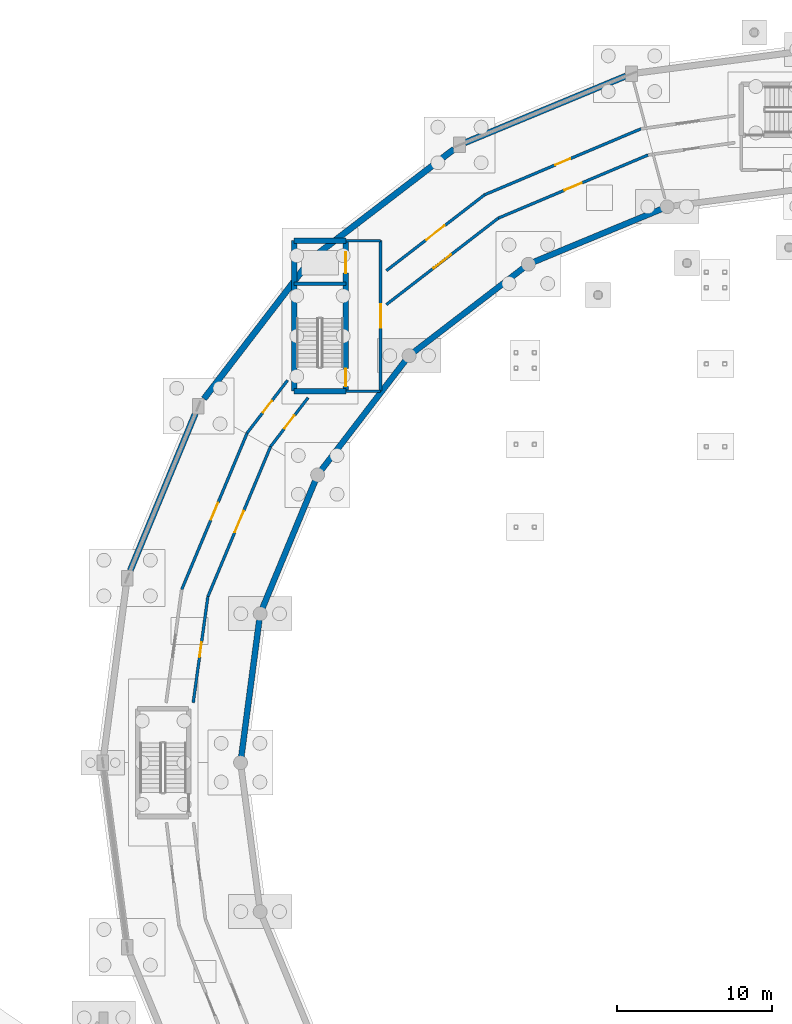
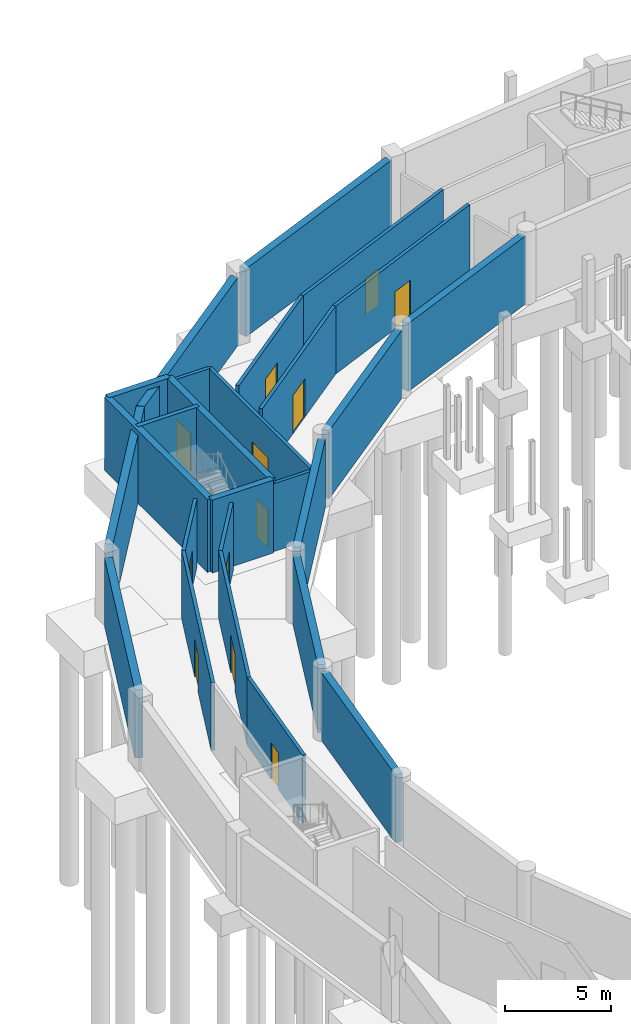
# One storey, part 33 of 43: 26 walls, 12 doors, 12 openings.
"""IFC4 building model written with IfcOpenShell, lengths in metres."""

from ifc_helpers import new_model, si_unit, direction, frame, frame_2d, origin, place, context, subcontext, project, spatial, rectangle, extrude, material, layer, layer_set, type_object, element, fill, save


model = new_model("IFC4")

# Units and contexts
model_context = context("Model", 3, precision=1e-05, world=origin(), true_north=direction((0.0, 1.0)))
body_context = subcontext(model_context, "Body", "Model", "MODEL_VIEW")
ifc_project = project(units=[si_unit("LENGTHUNIT", "METRE"), si_unit("AREAUNIT", "SQUARE_METRE"), si_unit("VOLUMEUNIT", "CUBIC_METRE"), si_unit("PLANEANGLEUNIT", "RADIAN"), si_unit("MASSUNIT", "GRAM", prefix="KILO")], contexts=[model_context])

# Site, building, storey
site_placement = place(None, origin())
site = spatial("IfcSite", under=ifc_project, at=site_placement, CompositionType="ELEMENT")
building_placement = place(site_placement, origin())
building = spatial("IfcBuilding", under=site, at=building_placement, Name="Vespera Passage Community Centre", CompositionType="ELEMENT")
storey_placement = place(building_placement, frame((0.0, 0.0, -4.199951171875)))
storey = spatial("IfcBuildingStorey", under=building, at=storey_placement, Name="B1", CompositionType="ELEMENT", Elevation=-4.199951171875)

# Wall, openings, doors
ifc_material_1 = material(Name="Concrete f'c 45 MPa", Category="concrete")
ifc_layer_1 = layer(ifc_material_1, 0.340087890625)
ifc_layer_set_1 = layer_set([ifc_layer_1], Name="Concrete f'c 45 MPa")
wall_type_1 = type_object("IfcWallType", Name="WT-CORE-340I", PredefinedType="SHEAR", material=ifc_layer_set_1)
wall_1_placement = place(storey_placement, frame((47.60302734375, 99.238037109375, 0.0), z_axis=(0.0, 0.0, 1.0), x_axis=(0.0, -1.0, 0.0)))
wall_1 = element("IfcWall", 1, at=wall_1_placement, inside=storey, type_object=wall_type_1, Name="Core C1 B1 Shear Wall FRONT", PredefinedType="SHEAR", context=body_context, shape_type="SweptSolid", body=[
    extrude(rectangle(XDim=9.72998046875, YDim=0.340087890625, at=frame_2d((4.864990234375, 0.0))), origin(), (0.0, 0.0, 1.0), 4.199951171875),
])
opening_1_placement = place(wall_1_placement, frame((8.264892578125, 0.0, 0.0)))
opening_1 = element("IfcOpeningElement", 2, at=opening_1_placement, cuts=wall_1, Name="Opening DT-STAIR-90", PredefinedType="OPENING", context=body_context, shape_type="SweptSolid", body=[
    extrude(rectangle(XDim=1.14990234375, YDim=2.14990234375, at=frame_2d((0.574951171875, 1.074951171875))), frame((0.0, 0.179931640625, 0.0), z_axis=(0.0, -1.0, 0.0), x_axis=(1.0, 0.0, 0.0)), (0.0, 0.0, 1.0), 0.360107421875),
])
opening_2_placement = place(wall_1_placement, frame((0.7451171875, 0.0, 0.0)))
opening_2 = element("IfcOpeningElement", 3, at=opening_2_placement, cuts=wall_1, Name="Opening DT-LIFT-135", PredefinedType="OPENING", context=body_context, shape_type="SweptSolid", body=[
    extrude(rectangle(XDim=1.35009765625, YDim=2.14990234375, at=frame_2d((0.675048828125, 1.074951171875))), frame((0.0, 0.179931640625, 0.0), z_axis=(0.0, -1.0, 0.0), x_axis=(1.0, 0.0, 0.0)), (0.0, 0.0, 1.0), 0.360107421875),
])
ifc_material_2 = material(Name="Painted hollow-metal acoustic door", Category="steel")
door_type_1 = type_object("IfcDoorType", Name="DT-LIFT-135", OperationType="NOTDEFINED", PredefinedType="DOOR", material=ifc_material_2)
door_1_placement = place(opening_2_placement, origin())
door_1 = element("IfcDoor", 4, at=door_1_placement, inside=storey, type_object=door_type_1, Name="Elevator EL-03 B1 Landing Door LD-001", OperationType="SLIDING_TO_LEFT", OverallHeight=2.14990234375, OverallWidth=1.35009765625, PredefinedType="DOOR", context=body_context, shape_type="SweptSolid", body=[
    extrude(rectangle(XDim=1.35009765625, YDim=2.14990234375, at=frame_2d((0.675048828125, 1.074951171875))), frame((0.0, 0.02490234375, 0.0), z_axis=(0.0, -1.0, 0.0), x_axis=(1.0, 0.0, 0.0)), (0.0, 0.0, 1.0), 0.050048828125),
])
fill(opening_2, door_1)
ifc_material_3 = material(Name="Painted hollow-metal acoustic door", Category="steel")
door_type_2 = type_object("IfcDoorType", Name="DT-STAIR-90", OperationType="NOTDEFINED", PredefinedType="DOOR", material=ifc_material_3)
door_2_placement = place(opening_1_placement, origin())
door_2 = element("IfcDoor", 5, at=door_2_placement, inside=storey, type_object=door_type_2, Name="Core C1 B1 Exit Stair Door D-048", OperationType="SINGLE_SWING_RIGHT", OverallHeight=2.14990234375, OverallWidth=1.14990234375, PredefinedType="DOOR", context=body_context, shape_type="SweptSolid", body=[
    extrude(rectangle(XDim=1.14990234375, YDim=2.14990234375, at=frame_2d((0.574951171875, 1.074951171875))), frame((0.0, 0.02490234375, 0.0), z_axis=(0.0, -1.0, 0.0), x_axis=(1.0, 0.0, 0.0)), (0.0, 0.0, 1.0), 0.050048828125),
])
fill(opening_1, door_2)

# Walls
wall_2_placement = place(storey_placement, frame((47.60302734375, 89.508056640625, 0.0), z_axis=(0.0, 0.0, 1.0), x_axis=(-1.0, 0.0, 0.0)))
element("IfcWall", 6, at=wall_2_placement, inside=storey, type_object=wall_type_1, Name="Core C1 B1 Shear Wall LEFT", PredefinedType="SHEAR", context=body_context, shape_type="SweptSolid", body=[
    extrude(rectangle(XDim=3.340087890625, YDim=0.340087890625, at=frame_2d((1.669921875, 0.0))), origin(), (0.0, 0.0, 1.0), 4.199951171875),
])
wall_3_placement = place(storey_placement, frame((44.262939453125, 89.508056640625, 0.0), z_axis=(0.0, 0.0, 1.0), x_axis=(0.0, 1.0, 0.0)))
element("IfcWall", 7, at=wall_3_placement, inside=storey, type_object=wall_type_1, Name="Core C1 B1 Shear Wall BACK", PredefinedType="SHEAR", context=body_context, shape_type="SweptSolid", body=[
    extrude(rectangle(XDim=9.72998046875, YDim=0.340087890625, at=frame_2d((4.864990234375, 0.0))), origin(), (0.0, 0.0, 1.0), 4.199951171875),
])
wall_4_placement = place(storey_placement, frame((44.262939453125, 99.238037109375, 0.0), z_axis=(0.0, 0.0, 1.0), x_axis=(1.0, 0.0, 0.0)))
element("IfcWall", 8, at=wall_4_placement, inside=storey, type_object=wall_type_1, Name="Core C1 B1 Shear Wall RIGHT", PredefinedType="SHEAR", context=body_context, shape_type="SweptSolid", body=[
    extrude(rectangle(XDim=3.340087890625, YDim=0.340087890625, at=frame_2d((1.669921875, 0.0))), origin(), (0.0, 0.0, 1.0), 4.199951171875),
])

# Wall, opening, door
ifc_material_4 = material(Name="Gypsum board acoustic stud partition")
ifc_layer_2 = layer(ifc_material_4, 0.179931640625)
ifc_layer_set_2 = layer_set([ifc_layer_2], Name="Gypsum board acoustic stud partition")
wall_type_2 = type_object("IfcWallType", Name="WT-CORR-180I", PredefinedType="PARTITIONING", material=ifc_layer_set_2)
wall_5_placement = place(storey_placement, frame((49.85302734375, 89.508056640625, 0.0), z_axis=(0.0, 0.0, 1.0), x_axis=(0.0, 1.0, 0.0)))
wall_5 = element("IfcWall", 9, at=wall_5_placement, inside=storey, type_object=wall_type_2, Name="Core C1 B1 Lift Lobby Front Wall", PredefinedType="PARTITIONING", context=body_context, shape_type="SweptSolid", body=[
    extrude(rectangle(XDim=9.72998046875, YDim=0.179931640625, at=frame_2d((4.864990234375, 0.0))), origin(), (0.0, 0.0, 1.0), 3.9150390625),
])
opening_3_placement = place(wall_5_placement, frame((4.114990234375, 0.0, 0.0)))
opening_3 = element("IfcOpeningElement", 10, at=opening_3_placement, cuts=wall_5, Name="Opening DT-CORR-150", PredefinedType="OPENING", context=body_context, shape_type="SweptSolid", body=[
    extrude(rectangle(XDim=1.5, YDim=2.14990234375, at=frame_2d((0.75, 1.074951171875))), frame((0.0, 0.099853515625, 0.0), z_axis=(0.0, -1.0, 0.0), x_axis=(1.0, 0.0, 0.0)), (0.0, 0.0, 1.0), 0.199951171875),
])
ifc_material_5 = material(Name="Painted hollow-metal acoustic door", Category="steel")
door_type_3 = type_object("IfcDoorType", Name="DT-CORR-150", OperationType="NOTDEFINED", PredefinedType="DOOR", material=ifc_material_5)
door_3_placement = place(opening_3_placement, origin())
door_3 = element("IfcDoor", 11, at=door_3_placement, inside=storey, type_object=door_type_3, Name="Core C1 B1 Lift Lobby Door D-049", OperationType="SINGLE_SWING_LEFT", OverallHeight=2.14990234375, OverallWidth=1.5, PredefinedType="DOOR", context=body_context, shape_type="SweptSolid", body=[
    extrude(rectangle(XDim=1.5, YDim=2.14990234375, at=frame_2d((0.75, 1.074951171875))), frame((0.0, 0.02490234375, 0.0), z_axis=(0.0, -1.0, 0.0), x_axis=(1.0, 0.0, 0.0)), (0.0, 0.0, 1.0), 0.050048828125),
])
fill(opening_3, door_3)

# Walls
for number, where, z_axis, x_axis, name in (
    (12, (47.60302734375, 89.508056640625, 0.0), (0.0, 0.0, 1.0), (1.0, 0.0, 0.0), "Core C1 B1 Lift Lobby Side Wall L"),
    (13, (47.60302734375, 99.238037109375, 0.0), (0.0, 0.0, 1.0), (1.0, 0.0, 0.0), "Core C1 B1 Lift Lobby Side Wall R"),
):
    element("IfcWall", number, at=place(storey_placement, frame(where, z_axis=z_axis, x_axis=x_axis)), inside=storey, type_object=wall_type_2, Name=name, PredefinedType="PARTITIONING", context=body_context, shape_type="SweptSolid", body=[
        extrude(rectangle(XDim=2.25, YDim=0.179931640625, at=frame_2d((1.125, 0.0))), origin(), (0.0, 0.0, 1.0), 3.9150390625),
    ])

# Wall, opening, door
wall_6_placement = place(storey_placement, frame((66.6748046875, 106.46337890625, 0.0), z_axis=(0.0, 0.0, 1.0), x_axis=(-0.921432324462, -0.388538893082, 0.0)))
wall_6 = element("IfcWall", 14, at=wall_6_placement, inside=storey, type_object=wall_type_2, Name="B1 Interior Partition V4-B1-CO04.1", PredefinedType="PARTITIONING", context=body_context, shape_type="SweptSolid", body=[
    extrude(rectangle(XDim=10.9609375, YDim=0.179931640625, at=frame_2d((5.48046875, 0.0))), origin(), (0.0, 0.0, 1.0), 3.9150390625),
])
opening_4_placement = place(wall_6_placement, frame((4.95556640625, 0.0, 0.0)))
opening_4 = element("IfcOpeningElement", 15, at=opening_4_placement, cuts=wall_6, Name="Opening DT-CORR-105", PredefinedType="OPENING", context=body_context, shape_type="SweptSolid", body=[
    extrude(rectangle(XDim=1.050048828125, YDim=2.10009765625, at=frame_2d((0.52490234375, 1.050048828125))), frame((0.0, 0.099853515625, 0.0), z_axis=(0.0, -1.0, 0.0), x_axis=(1.0, 0.0, 0.0)), (0.0, 0.0, 1.0), 0.199951171875),
])
ifc_material_6 = material(Name="Painted hollow-metal acoustic door", Category="steel")
door_type_4 = type_object("IfcDoorType", Name="DT-CORR-105", OperationType="NOTDEFINED", PredefinedType="DOOR", material=ifc_material_6)
door_4_placement = place(opening_4_placement, origin())
door_4 = element("IfcDoor", 16, at=door_4_placement, inside=storey, type_object=door_type_4, Name="B1 Interior Door D-125", OperationType="SINGLE_SWING_LEFT", OverallHeight=2.10009765625, OverallWidth=1.050048828125, PredefinedType="DOOR", context=body_context, shape_type="SweptSolid", body=[
    extrude(rectangle(XDim=1.050048828125, YDim=2.10009765625, at=frame_2d((0.52490234375, 1.050048828125))), frame((0.0, 0.02490234375, 0.0), z_axis=(0.0, -1.0, 0.0), x_axis=(1.0, 0.0, 0.0)), (0.0, 0.0, 1.0), 0.050048828125),
])
fill(opening_4, door_4)

wall_7_placement = place(storey_placement, frame((67.14111328125, 104.776611328125, 0.0), z_axis=(0.0, 0.0, 1.0), x_axis=(-0.921427975161, -0.388549207426, 0.0)))
wall_7 = element("IfcWall", 17, at=wall_7_placement, inside=storey, type_object=wall_type_2, Name="B1 Interior Partition V4-B1-CI04.1", PredefinedType="PARTITIONING", context=body_context, shape_type="SweptSolid", body=[
    extrude(rectangle(XDim=10.509521484375, YDim=0.179931640625, at=frame_2d((5.2548828125, 0.0))), origin(), (0.0, 0.0, 1.0), 3.9150390625),
])
opening_5_placement = place(wall_7_placement, frame((4.65478515625, 0.0, 0.0)))
opening_5 = element("IfcOpeningElement", 18, at=opening_5_placement, cuts=wall_7, Name="Opening DT-CORR-120", PredefinedType="OPENING", context=body_context, shape_type="SweptSolid", body=[
    extrude(rectangle(XDim=1.199951171875, YDim=2.14990234375, at=frame_2d((0.60009765625, 1.074951171875))), frame((0.0, 0.099853515625, 0.0), z_axis=(0.0, -1.0, 0.0), x_axis=(1.0, 0.0, 0.0)), (0.0, 0.0, 1.0), 0.199951171875),
])
ifc_material_7 = material(Name="Painted hollow-metal acoustic door", Category="steel")
door_type_5 = type_object("IfcDoorType", Name="DT-CORR-120", OperationType="NOTDEFINED", PredefinedType="DOOR", material=ifc_material_7)
door_5_placement = place(opening_5_placement, origin())
door_5 = element("IfcDoor", 19, at=door_5_placement, inside=storey, type_object=door_type_5, Name="B1 Interior Door D-126", OperationType="SINGLE_SWING_RIGHT", OverallHeight=2.14990234375, OverallWidth=1.199951171875, PredefinedType="DOOR", context=body_context, shape_type="SweptSolid", body=[
    extrude(rectangle(XDim=1.199951171875, YDim=2.14990234375, at=frame_2d((0.60009765625, 1.074951171875))), frame((0.0, 0.02490234375, 0.0), z_axis=(0.0, -1.0, 0.0), x_axis=(1.0, 0.0, 0.0)), (0.0, 0.0, 1.0), 0.050048828125),
])
fill(opening_5, door_5)

wall_8_placement = place(storey_placement, frame((56.574951171875, 102.20458984375, 0.0), z_axis=(0.0, 0.0, 1.0), x_axis=(-0.791414761664, -0.61127953918, 0.0)))
wall_8 = element("IfcWall", 20, at=wall_8_placement, inside=storey, type_object=wall_type_2, Name="B1 Interior Partition V4-B1-CO05.1", PredefinedType="PARTITIONING", context=body_context, shape_type="SweptSolid", body=[
    extrude(rectangle(XDim=8.026123046875, YDim=0.179931640625, at=frame_2d((4.01318359375, 0.0))), origin(), (0.0, 0.0, 1.0), 3.9150390625),
])
opening_6_placement = place(wall_8_placement, frame((3.26318359375, 0.0, 0.0)))
opening_6 = element("IfcOpeningElement", 21, at=opening_6_placement, cuts=wall_8, Name="Opening DT-CORR-150", PredefinedType="OPENING", context=body_context, shape_type="SweptSolid", body=[
    extrude(rectangle(XDim=1.5, YDim=2.14990234375, at=frame_2d((0.75, 1.074951171875))), frame((0.0, 0.099853515625, 0.0), z_axis=(0.0, -1.0, 0.0), x_axis=(1.0, 0.0, 0.0)), (0.0, 0.0, 1.0), 0.199951171875),
])
door_6_placement = place(opening_6_placement, origin())
door_6 = element("IfcDoor", 22, at=door_6_placement, inside=storey, type_object=door_type_3, Name="B1 Interior Door D-127", OperationType="SINGLE_SWING_LEFT", OverallHeight=2.14990234375, OverallWidth=1.5, PredefinedType="DOOR", context=body_context, shape_type="SweptSolid", body=[
    extrude(rectangle(XDim=1.5, YDim=2.14990234375, at=frame_2d((0.75, 1.074951171875))), frame((0.0, 0.02490234375, 0.0), z_axis=(0.0, -1.0, 0.0), x_axis=(1.0, 0.0, 0.0)), (0.0, 0.0, 1.0), 0.050048828125),
])
fill(opening_6, door_6)

wall_9_placement = place(storey_placement, frame((57.457275390625, 100.693115234375, 0.0), z_axis=(0.0, 0.0, 1.0), x_axis=(-0.79142007835, -0.611272655683, 0.0)))
wall_9 = element("IfcWall", 23, at=wall_9_placement, inside=storey, type_object=wall_type_2, Name="B1 Interior Partition V4-B1-CI05.1", PredefinedType="PARTITIONING", context=body_context, shape_type="SweptSolid", body=[
    extrude(rectangle(XDim=9.14111328125, YDim=0.179931640625, at=frame_2d((4.570556640625, 0.0))), origin(), (0.0, 0.0, 1.0), 3.9150390625),
])
opening_7_placement = place(wall_9_placement, frame((3.845458984375, 0.0, 0.0)))
opening_7 = element("IfcOpeningElement", 24, at=opening_7_placement, cuts=wall_9, Name="Opening DT-PLANT-145", PredefinedType="OPENING", context=body_context, shape_type="SweptSolid", body=[
    extrude(rectangle(XDim=1.449951171875, YDim=2.199951171875, at=frame_2d((0.72509765625, 1.10009765625))), frame((0.0, 0.099853515625, 0.0), z_axis=(0.0, -1.0, 0.0), x_axis=(1.0, 0.0, 0.0)), (0.0, 0.0, 1.0), 0.199951171875),
])
ifc_material_8 = material(Name="Painted hollow-metal acoustic door", Category="steel")
door_type_6 = type_object("IfcDoorType", Name="DT-PLANT-145", OperationType="NOTDEFINED", PredefinedType="DOOR", material=ifc_material_8)
door_7_placement = place(opening_7_placement, origin())
door_7 = element("IfcDoor", 25, at=door_7_placement, inside=storey, type_object=door_type_6, Name="B1 Interior Door D-128", OperationType="SINGLE_SWING_RIGHT", OverallHeight=2.199951171875, OverallWidth=1.449951171875, PredefinedType="DOOR", context=body_context, shape_type="SweptSolid", body=[
    extrude(rectangle(XDim=1.449951171875, YDim=2.199951171875, at=frame_2d((0.72509765625, 1.10009765625))), frame((0.0, 0.02490234375, 0.0), z_axis=(0.0, -1.0, 0.0), x_axis=(1.0, 0.0, 0.0)), (0.0, 0.0, 1.0), 0.050048828125),
])
fill(opening_7, door_7)

wall_10_placement = place(storey_placement, frame((43.843017578125, 90.216796875, 0.0), z_axis=(0.0, 0.0, 1.0), x_axis=(-0.608738105254, -0.793371236693, 0.0)))
wall_10 = element("IfcWall", 26, at=wall_10_placement, inside=storey, type_object=wall_type_2, Name="B1 Interior Partition V4-B1-CO06.1", PredefinedType="PARTITIONING", context=body_context, shape_type="SweptSolid", body=[
    extrude(rectangle(XDim=4.296142578125, YDim=0.179931640625, at=frame_2d((2.14794921875, 0.0))), origin(), (0.0, 0.0, 1.0), 3.9150390625),
])
opening_8_placement = place(wall_10_placement, frame((1.673095703125, 0.0, 0.0)))
opening_8 = element("IfcOpeningElement", 27, at=opening_8_placement, cuts=wall_10, Name="Opening DT-CORR-95", PredefinedType="OPENING", context=body_context, shape_type="SweptSolid", body=[
    extrude(rectangle(XDim=0.949951171875, YDim=2.10009765625, at=frame_2d((0.47509765625, 1.050048828125))), frame((0.0, 0.099853515625, 0.0), z_axis=(0.0, -1.0, 0.0), x_axis=(1.0, 0.0, 0.0)), (0.0, 0.0, 1.0), 0.199951171875),
])
ifc_material_9 = material(Name="Painted hollow-metal acoustic door", Category="steel")
door_type_7 = type_object("IfcDoorType", Name="DT-CORR-95", OperationType="NOTDEFINED", PredefinedType="DOOR", material=ifc_material_9)
door_8_placement = place(opening_8_placement, origin())
door_8 = element("IfcDoor", 28, at=door_8_placement, inside=storey, type_object=door_type_7, Name="B1 Interior Door D-129", OperationType="SINGLE_SWING_LEFT", OverallHeight=2.10009765625, OverallWidth=0.949951171875, PredefinedType="DOOR", context=body_context, shape_type="SweptSolid", body=[
    extrude(rectangle(XDim=0.949951171875, YDim=2.10009765625, at=frame_2d((0.47509765625, 1.050048828125))), frame((0.0, 0.02490234375, 0.0), z_axis=(0.0, -1.0, 0.0), x_axis=(1.0, 0.0, 0.0)), (0.0, 0.0, 1.0), 0.050048828125),
])
fill(opening_8, door_8)

wall_11_placement = place(storey_placement, frame((45.164306640625, 89.087890625, 0.0), z_axis=(0.0, 0.0, 1.0), x_axis=(-0.608788255247, -0.793332755074, 0.0)))
wall_11 = element("IfcWall", 29, at=wall_11_placement, inside=storey, type_object=wall_type_2, Name="B1 Interior Partition V4-B1-CI06.1", PredefinedType="PARTITIONING", context=body_context, shape_type="SweptSolid", body=[
    extrude(rectangle(XDim=3.9794921875, YDim=0.179931640625, at=frame_2d((1.98974609375, 0.0))), origin(), (0.0, 0.0, 1.0), 3.9150390625),
])
opening_9_placement = place(wall_11_placement, frame((1.464599609375, 0.0, 0.0)))
opening_9 = element("IfcOpeningElement", 30, at=opening_9_placement, cuts=wall_11, Name="Opening DT-CORR-105", PredefinedType="OPENING", context=body_context, shape_type="SweptSolid", body=[
    extrude(rectangle(XDim=1.050048828125, YDim=2.10009765625, at=frame_2d((0.52490234375, 1.050048828125))), frame((0.0, 0.099853515625, 0.0), z_axis=(0.0, -1.0, 0.0), x_axis=(1.0, 0.0, 0.0)), (0.0, 0.0, 1.0), 0.199951171875),
])
door_9_placement = place(opening_9_placement, origin())
door_9 = element("IfcDoor", 31, at=door_9_placement, inside=storey, type_object=door_type_4, Name="B1 Interior Door D-130", OperationType="SINGLE_SWING_RIGHT", OverallHeight=2.10009765625, OverallWidth=1.050048828125, PredefinedType="DOOR", context=body_context, shape_type="SweptSolid", body=[
    extrude(rectangle(XDim=1.050048828125, YDim=2.10009765625, at=frame_2d((0.52490234375, 1.050048828125))), frame((0.0, 0.02490234375, 0.0), z_axis=(0.0, -1.0, 0.0), x_axis=(1.0, 0.0, 0.0)), (0.0, 0.0, 1.0), 0.050048828125),
])
fill(opening_9, door_9)

wall_12_placement = place(storey_placement, frame((41.227783203125, 86.808349609375, 0.0), z_axis=(0.0, 0.0, 1.0), x_axis=(-0.385621022036, -0.922657264299, 0.0)))
wall_12 = element("IfcWall", 32, at=wall_12_placement, inside=storey, type_object=wall_type_2, Name="B1 Interior Partition V4-B1-CO07.1", PredefinedType="PARTITIONING", context=body_context, shape_type="SweptSolid", body=[
    extrude(rectangle(XDim=10.9609375, YDim=0.179931640625, at=frame_2d((5.48046875, 0.0))), origin(), (0.0, 0.0, 1.0), 3.9150390625),
])
opening_10_placement = place(wall_12_placement, frame((4.880615234375, 0.0, 0.0)))
opening_10 = element("IfcOpeningElement", 33, at=opening_10_placement, cuts=wall_12, Name="Opening DT-CORR-120", PredefinedType="OPENING", context=body_context, shape_type="SweptSolid", body=[
    extrude(rectangle(XDim=1.199951171875, YDim=2.14990234375, at=frame_2d((0.60009765625, 1.074951171875))), frame((0.0, 0.099853515625, 0.0), z_axis=(0.0, -1.0, 0.0), x_axis=(1.0, 0.0, 0.0)), (0.0, 0.0, 1.0), 0.199951171875),
])
door_10_placement = place(opening_10_placement, origin())
door_10 = element("IfcDoor", 34, at=door_10_placement, inside=storey, type_object=door_type_5, Name="B1 Interior Door D-131", OperationType="SINGLE_SWING_LEFT", OverallHeight=2.14990234375, OverallWidth=1.199951171875, PredefinedType="DOOR", context=body_context, shape_type="SweptSolid", body=[
    extrude(rectangle(XDim=1.199951171875, YDim=2.14990234375, at=frame_2d((0.60009765625, 1.074951171875))), frame((0.0, 0.02490234375, 0.0), z_axis=(0.0, -1.0, 0.0), x_axis=(1.0, 0.0, 0.0)), (0.0, 0.0, 1.0), 0.050048828125),
])
fill(opening_10, door_10)

wall_13_placement = place(storey_placement, frame((42.74169921875, 85.930908203125, 0.0), z_axis=(0.0, 0.0, 1.0), x_axis=(-0.385601563936, -0.922665396495, 0.0)))
wall_13 = element("IfcWall", 35, at=wall_13_placement, inside=storey, type_object=wall_type_2, Name="B1 Interior Partition V4-B1-CI07.1", PredefinedType="PARTITIONING", context=body_context, shape_type="SweptSolid", body=[
    extrude(rectangle(XDim=10.509521484375, YDim=0.179931640625, at=frame_2d((5.2548828125, 0.0))), origin(), (0.0, 0.0, 1.0), 3.9150390625),
])
opening_11_placement = place(wall_13_placement, frame((4.5048828125, 0.0, 0.0)))
opening_11 = element("IfcOpeningElement", 36, at=opening_11_placement, cuts=wall_13, Name="Opening DT-CORR-150", PredefinedType="OPENING", context=body_context, shape_type="SweptSolid", body=[
    extrude(rectangle(XDim=1.5, YDim=2.14990234375, at=frame_2d((0.75, 1.074951171875))), frame((0.0, 0.099853515625, 0.0), z_axis=(0.0, -1.0, 0.0), x_axis=(1.0, 0.0, 0.0)), (0.0, 0.0, 1.0), 0.199951171875),
])
door_11_placement = place(opening_11_placement, origin())
door_11 = element("IfcDoor", 37, at=door_11_placement, inside=storey, type_object=door_type_3, Name="B1 Interior Door D-132", OperationType="SINGLE_SWING_RIGHT", OverallHeight=2.14990234375, OverallWidth=1.5, PredefinedType="DOOR", context=body_context, shape_type="SweptSolid", body=[
    extrude(rectangle(XDim=1.5, YDim=2.14990234375, at=frame_2d((0.75, 1.074951171875))), frame((0.0, 0.02490234375, 0.0), z_axis=(0.0, -1.0, 0.0), x_axis=(1.0, 0.0, 0.0)), (0.0, 0.0, 1.0), 0.050048828125),
])
fill(opening_11, door_11)

wall_14_placement = place(storey_placement, frame((38.689208984375, 76.234130859375, 0.0), z_axis=(0.0, 0.0, 1.0), x_axis=(-0.136839031307, -0.990593296722, 0.0)))
wall_14 = element("IfcWall", 38, at=wall_14_placement, inside=storey, type_object=wall_type_2, Name="B1 Interior Partition V4-B1-CI08.1", PredefinedType="PARTITIONING", context=body_context, shape_type="SweptSolid", body=[
    extrude(rectangle(XDim=6.92431640625, YDim=0.179931640625, at=frame_2d((3.462158203125, 0.0))), origin(), (0.0, 0.0, 1.0), 3.9150390625),
])
opening_12_placement = place(wall_14_placement, frame((2.987060546875, 0.0, 0.0)))
opening_12 = element("IfcOpeningElement", 39, at=opening_12_placement, cuts=wall_14, Name="Opening DT-CORR-95", PredefinedType="OPENING", context=body_context, shape_type="SweptSolid", body=[
    extrude(rectangle(XDim=0.949951171875, YDim=2.10009765625, at=frame_2d((0.47509765625, 1.050048828125))), frame((0.0, 0.099853515625, 0.0), z_axis=(0.0, -1.0, 0.0), x_axis=(1.0, 0.0, 0.0)), (0.0, 0.0, 1.0), 0.199951171875),
])
door_12_placement = place(opening_12_placement, origin())
door_12 = element("IfcDoor", 40, at=door_12_placement, inside=storey, type_object=door_type_7, Name="B1 Interior Door D-134", OperationType="SINGLE_SWING_RIGHT", OverallHeight=2.10009765625, OverallWidth=0.949951171875, PredefinedType="DOOR", context=body_context, shape_type="SweptSolid", body=[
    extrude(rectangle(XDim=0.949951171875, YDim=2.10009765625, at=frame_2d((0.47509765625, 1.050048828125))), frame((0.0, 0.02490234375, 0.0), z_axis=(0.0, -1.0, 0.0), x_axis=(1.0, 0.0, 0.0)), (0.0, 0.0, 1.0), 0.050048828125),
])
fill(opening_12, door_12)

# Walls
ifc_material_10 = material(Name="Concrete f'c 45 MPa", Category="concrete")
ifc_layer_3 = layer(ifc_material_10, 0.239990234375)
ifc_layer_set_3 = layer_set([ifc_layer_3], Name="Concrete f'c 45 MPa")
wall_type_3 = type_object("IfcWallType", Name="WT-DIV-240I", PredefinedType="SHEAR", material=ifc_layer_set_3)
wall_15_placement = place(storey_placement, frame((47.60302734375, 96.447998046875, 0.0), z_axis=(0.0, 0.0, 1.0), x_axis=(-1.0, 0.0, 0.0)))
element("IfcWall", 41, at=wall_15_placement, inside=storey, type_object=wall_type_3, Name="Core C1 B1 Hoistway Divider Wall", PredefinedType="SHEAR", context=body_context, shape_type="SweptSolid", body=[
    extrude(rectangle(XDim=3.340087890625, YDim=0.239990234375, at=frame_2d((1.669921875, 0.0))), origin(), (0.0, 0.0, 1.0), 4.199951171875),
])
ifc_material_11 = material(Name="Concrete f'c 45 MPa", Category="concrete")
ifc_layer_4 = layer(ifc_material_11, 0.3798828125)
ifc_layer_set_4 = layer_set([ifc_layer_4], Name="Concrete f'c 45 MPa")
wall_type_4 = type_object("IfcWallType", Name="WT-RET-380E", PredefinedType="SHEAR", material=ifc_layer_set_4)
wall_16_placement = place(storey_placement, frame((68.094970703125, 101.317626953125, 0.0), z_axis=(0.0, 0.0, 1.0), x_axis=(-0.923880324771, -0.382681519675, 0.0)))
element("IfcWall", 42, at=wall_16_placement, inside=storey, type_object=wall_type_4, Name="V4 B1 Inner Retaining Wall 7", PredefinedType="SHEAR", context=body_context, shape_type="SweptSolid", body=[
    extrude(rectangle(XDim=9.111572265625, YDim=0.3798828125, at=frame_2d((4.5556640625, 0.0))), origin(), (0.0, 0.0, 1.0), 3.919921875),
])
for number, where, z_axis, x_axis, name in (
    (43, (59.119873046875, 97.501220703125, 0.0), (0.0, 0.0, 1.0), (-0.793347085527, -0.608769580289, 0.0), "V4 B1 Inner Retaining Wall 8"),
    (44, (51.480712890625, 91.524169921875, 0.0), (0.0, 0.0, 1.0), (-0.608769580289, -0.793347085527, 0.0), "V4 B1 Inner Retaining Wall 9"),
):
    element("IfcWall", number, at=place(storey_placement, frame(where, z_axis=z_axis, x_axis=x_axis)), inside=storey, type_object=wall_type_4, Name=name, PredefinedType="SHEAR", context=body_context, shape_type="SweptSolid", body=[
        extrude(rectangle(XDim=9.0048828125, YDim=0.3798828125, at=frame_2d((4.50244140625, 0.0))), origin(), (0.0, 0.0, 1.0), 3.919921875),
    ])
wall_17_placement = place(storey_placement, frame((45.669189453125, 83.822998046875, 0.0), z_axis=(0.0, 0.0, 1.0), x_axis=(-0.382681519675, -0.923880324771, 0.0)))
element("IfcWall", 45, at=wall_17_placement, inside=storey, type_object=wall_type_4, Name="V4 B1 Inner Retaining Wall 10", PredefinedType="SHEAR", context=body_context, shape_type="SweptSolid", body=[
    extrude(rectangle(XDim=9.111572265625, YDim=0.3798828125, at=frame_2d((4.5556640625, 0.0))), origin(), (0.0, 0.0, 1.0), 3.919921875),
])
wall_18_placement = place(storey_placement, frame((42.031494140625, 74.852783203125, 0.0), z_axis=(0.0, 0.0, 1.0), x_axis=(-0.130549698469, -0.991441766434, 0.0)))
element("IfcWall", 46, at=wall_18_placement, inside=storey, type_object=wall_type_4, Name="V4 B1 Inner Retaining Wall 11", PredefinedType="SHEAR", context=body_context, shape_type="SweptSolid", body=[
    extrude(rectangle(XDim=9.156005859375, YDim=0.3798828125, at=frame_2d((4.578125, 0.0))), origin(), (0.0, 0.0, 1.0), 3.919921875),
])
ifc_material_12 = material(Name="Concrete f'c 45 MPa", Category="concrete")
ifc_layer_5 = layer(ifc_material_12, 0.39990234375)
ifc_layer_set_5 = layer_set([ifc_layer_5], Name="Concrete f'c 45 MPa")
wall_type_5 = type_object("IfcWallType", Name="WT-RET-400E", PredefinedType="SHEAR", material=ifc_layer_set_5)
wall_19_placement = place(storey_placement, frame((55.302001953125, 105.569580078125, 0.0), z_axis=(0.0, 0.0, 1.0), x_axis=(0.923883530636, 0.382673779896, 0.0)))
element("IfcWall", 47, at=wall_19_placement, inside=storey, type_object=wall_type_5, Name="V4 B1 Outer Retaining Wall 7", PredefinedType="SHEAR", context=body_context, shape_type="SweptSolid", body=[
    extrude(rectangle(XDim=11.2724609375, YDim=0.39990234375, at=frame_2d((5.63623046875, 0.0))), origin(), (0.0, 0.0, 1.0), 3.919921875),
])
wall_20_placement = place(storey_placement, frame((45.40234375, 98.09765625, 0.0), z_axis=(0.0, 0.0, 1.0), x_axis=(0.793347191248, 0.608769442514, 0.0)))
element("IfcWall", 48, at=wall_20_placement, inside=storey, type_object=wall_type_5, Name="V4 B1 Outer Retaining Wall 8", PredefinedType="SHEAR", context=body_context, shape_type="SweptSolid", body=[
    extrude(rectangle(XDim=11.5869140625, YDim=0.39990234375, at=frame_2d((5.79345703125, 0.0))), origin(), (0.0, 0.0, 1.0), 3.919921875),
])
wall_21_placement = place(storey_placement, frame((38.43603515625, 89.018798828125, 0.0), z_axis=(0.0, 0.0, 1.0), x_axis=(0.608753523874, 0.793359406052, 0.0)))
element("IfcWall", 49, at=wall_21_placement, inside=storey, type_object=wall_type_5, Name="V4 B1 Outer Retaining Wall 9", PredefinedType="SHEAR", context=body_context, shape_type="SweptSolid", body=[
    extrude(rectangle(XDim=11.443603515625, YDim=0.39990234375, at=frame_2d((5.7216796875, 0.0))), origin(), (0.0, 0.0, 1.0), 3.919921875),
])
wall_22_placement = place(storey_placement, frame((33.668212890625, 77.908447265625, 0.0), z_axis=(0.0, 0.0, 1.0), x_axis=(0.382695413149, 0.923874569817, 0.0)))
element("IfcWall", 50, at=wall_22_placement, inside=storey, type_object=wall_type_5, Name="V4 B1 Outer Retaining Wall 10", PredefinedType="SHEAR", context=body_context, shape_type="SweptSolid", body=[
    extrude(rectangle(XDim=11.002197265625, YDim=0.39990234375, at=frame_2d((5.5009765625, 0.0))), origin(), (0.0, 0.0, 1.0), 3.919921875),
])

save(model, "model.ifc")
